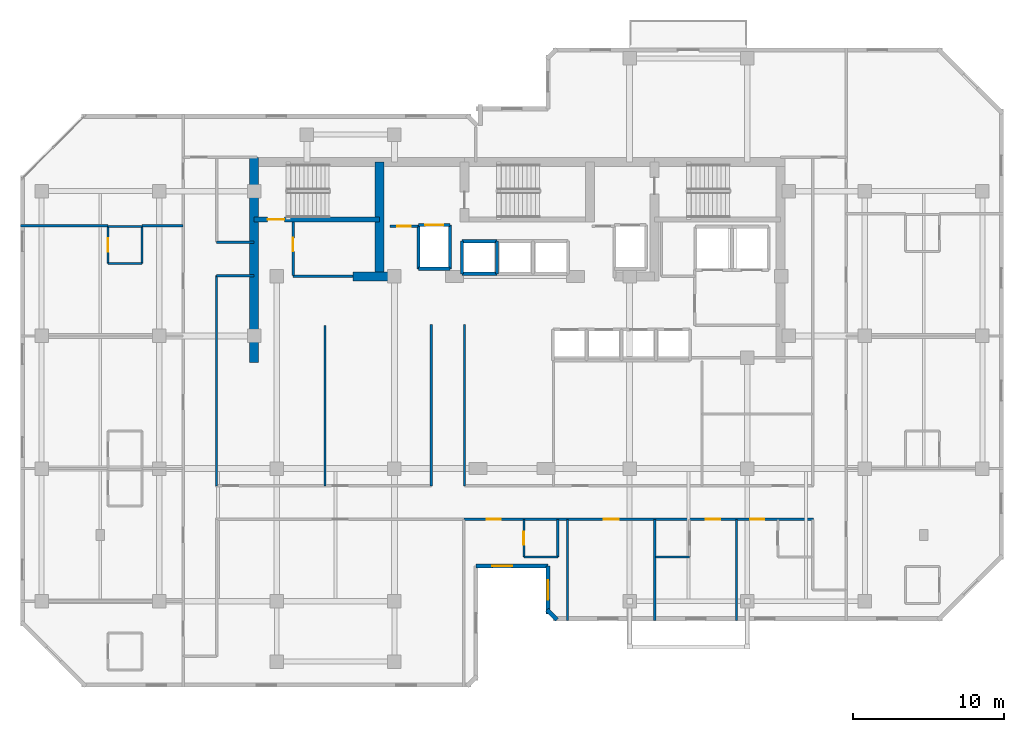
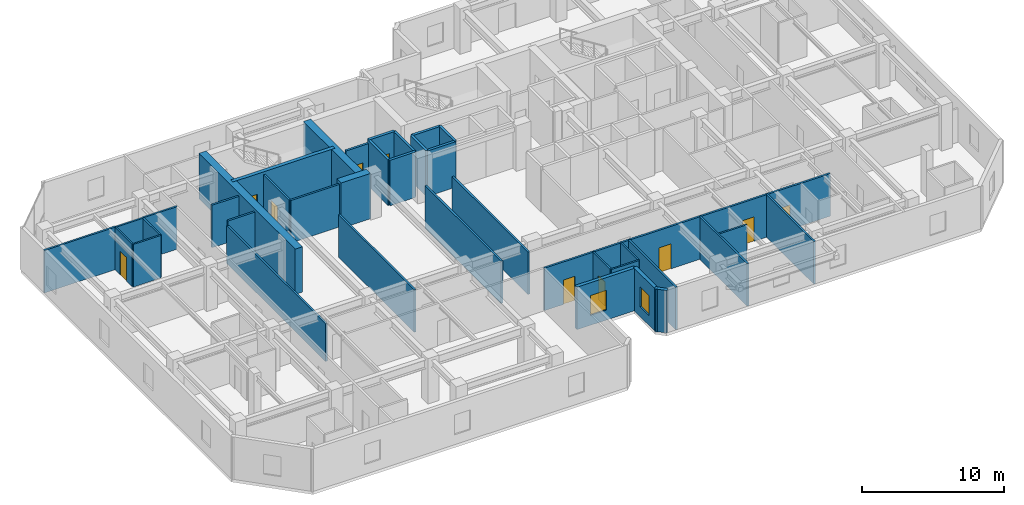
# One storey, part 5 of 10: 38 walls, 10 doors, 2 windows, 12 openings.
"""IFC4 building model written with IfcOpenShell, lengths in metres."""

from ifc_helpers import new_model, si_unit, direction, frame, frame_2d, origin, place, context, subcontext, project, spatial, rectangle, extrude, material, layer, layer_set, type_object, element, fill, save


model = new_model("IFC4")

# Units and contexts
model_context = context("Model", 3, precision=1e-05, world=origin(), true_north=direction((0.0, 1.0)))
body_context = subcontext(model_context, "Body", "Model", "MODEL_VIEW")
ifc_project = project(units=[si_unit("LENGTHUNIT", "METRE"), si_unit("AREAUNIT", "SQUARE_METRE"), si_unit("VOLUMEUNIT", "CUBIC_METRE"), si_unit("PLANEANGLEUNIT", "RADIAN"), si_unit("MASSUNIT", "GRAM", prefix="KILO")], contexts=[model_context])

# Site, building, storey
site_placement = place(None, origin())
site = spatial("IfcSite", under=ifc_project, at=site_placement, CompositionType="ELEMENT")
building_placement = place(site_placement, origin())
building = spatial("IfcBuilding", under=site, at=building_placement, Name="Kestravale Grand Hotel", CompositionType="ELEMENT")
storey_placement = place(building_placement, frame((0.0, 0.0, 224.10009765625)))
storey = spatial("IfcBuildingStorey", under=building, at=storey_placement, Name="L56", CompositionType="ELEMENT", Elevation=224.10009765625)

# Walls
ifc_material_1 = material(Name="Concrete f'c 50 MPa", Category="concrete")
ifc_layer_1 = layer(ifc_material_1, 0.60009765625)
ifc_layer_set_1 = layer_set([ifc_layer_1], Name="EW-CORE-600")
wall_type_1 = type_object("IfcWallType", Name="EW-CORE-600", PredefinedType="SHEAR", material=ifc_layer_set_1)
wall_1_placement = place(storey_placement, frame((21.89990234375, 27.050048828125, 0.0), z_axis=(0.0, 0.0, 1.0), x_axis=(0.0, 1.0, 0.0)))
element("IfcWall", 1, at=wall_1_placement, inside=storey, type_object=wall_type_1, Name="L56 core shear wall W1", PredefinedType="SHEAR", context=body_context, shape_type="SweptSolid", body=[
    extrude(rectangle(XDim=13.570068359375, YDim=0.60009765625, at=frame_2d((6.78515625, 0.0))), origin(), (0.0, 0.0, 1.0), 3.89990234375),
])
wall_2_placement = place(storey_placement, frame((28.449951171875, 32.75, 0.0), z_axis=(0.0, 0.0, 1.0), x_axis=(1.0, 0.0, 0.0)))
element("IfcWall", 2, at=wall_2_placement, inside=storey, type_object=wall_type_1, Name="L56 core shear wall S1", PredefinedType="SHEAR", context=body_context, shape_type="SweptSolid", body=[
    extrude(rectangle(XDim=2.400146484375, YDim=0.60009765625, at=frame_2d((1.2001953125, 0.0))), origin(), (0.0, 0.0, 1.0), 3.89990234375),
])
wall_3_placement = place(storey_placement, frame((30.219970703125, 33.050048828125, 0.0), z_axis=(0.0, 0.0, 1.0), x_axis=(0.0, 1.0, 0.0)))
element("IfcWall", 3, at=wall_3_placement, inside=storey, type_object=wall_type_1, Name="L56 core shear wall X1", PredefinedType="SHEAR", context=body_context, shape_type="SweptSolid", body=[
    extrude(rectangle(XDim=7.27001953125, YDim=0.60009765625, at=frame_2d((3.635009765625, 0.0))), origin(), (0.0, 0.0, 1.0), 3.89990234375),
])

# Wall, opening, window
ifc_material_2 = material(Name="Precast concrete f'c 45 MPa", Category="concrete")
ifc_layer_2 = layer(ifc_material_2, 0.280029296875)
ifc_layer_set_2 = layer_set([ifc_layer_2], Name="EW-PREC-280")
wall_type_2 = type_object("IfcWallType", Name="EW-PREC-280", PredefinedType="SOLIDWALL", material=ifc_layer_set_2)
wall_4_placement = place(storey_placement, frame((36.610107421875, 13.5400390625, 0.0), z_axis=(0.0, 0.0, 1.0), x_axis=(1.0, 0.0, 0.0)))
wall_4 = element("IfcWall", 4, at=wall_4_placement, inside=storey, type_object=wall_type_2, Name="L56 fluted precast facade wall 4", PredefinedType="SOLIDWALL", context=body_context, shape_type="SweptSolid", body=[
    extrude(rectangle(XDim=4.77978515625, YDim=0.280029296875, at=frame_2d((2.389892578125, 0.0))), origin(), (0.0, 0.0, 1.0), 3.64990234375),
])
opening_1_placement = place(wall_4_placement, frame((1.090087890625, 0.0, 0.85009765625)))
opening_1 = element("IfcOpeningElement", 5, at=opening_1_placement, cuts=wall_4, Name="Opening W-GUEST-1300", PredefinedType="OPENING", context=body_context, shape_type="SweptSolid", body=[
    extrude(rectangle(XDim=1.300048828125, YDim=1.699951171875, at=frame_2d((0.64990234375, 0.85009765625))), frame((0.0, 0.14990234375, 0.0), z_axis=(0.0, -1.0, 0.0), x_axis=(1.0, 0.0, 0.0)), (0.0, 0.0, 1.0), 0.300048828125),
])
ifc_material_3 = material(Name="Insulated low-E double glazing in aluminium frame", Category="aluminium")
window_type = type_object("IfcWindowType", Name="W-GUEST-1300", PartitioningType="SINGLE_PANEL", PredefinedType="WINDOW", material=ifc_material_3)
window_1_placement = place(opening_1_placement, origin())
window_1 = element("IfcWindow", 6, at=window_1_placement, inside=storey, type_object=window_type, Name="L56 exterior window 4.1", OverallHeight=1.699951171875, OverallWidth=1.300048828125, PartitioningType="SINGLE_PANEL", PredefinedType="WINDOW", context=body_context, shape_type="SweptSolid", body=[
    extrude(rectangle(XDim=1.300048828125, YDim=1.699951171875, at=frame_2d((0.64990234375, 0.85009765625))), frame((0.0, 0.030029296875, 0.0), z_axis=(0.0, -1.0, 0.0), x_axis=(1.0, 0.0, 0.0)), (0.0, 0.0, 1.0), 0.06005859375),
])
fill(opening_1, window_1)

wall_5_placement = place(storey_placement, frame((41.389892578125, 13.5400390625, 0.0), z_axis=(0.0, 0.0, 1.0), x_axis=(0.0, -1.0, 0.0)))
wall_5 = element("IfcWall", 7, at=wall_5_placement, inside=storey, type_object=wall_type_2, Name="L56 fluted precast facade wall 5", PredefinedType="SOLIDWALL", context=body_context, shape_type="SweptSolid", body=[
    extrude(rectangle(XDim=3.179931640625, YDim=0.280029296875, at=frame_2d((1.58984375, 0.0))), origin(), (0.0, 0.0, 1.0), 3.64990234375),
])
opening_2_placement = place(wall_5_placement, frame((0.93994140625, 0.0, 0.85009765625)))
opening_2 = element("IfcOpeningElement", 8, at=opening_2_placement, cuts=wall_5, Name="Opening W-GUEST-1300", PredefinedType="OPENING", context=body_context, shape_type="SweptSolid", body=[
    extrude(rectangle(XDim=1.300048828125, YDim=1.699951171875, at=frame_2d((0.64990234375, 0.85009765625))), frame((0.0, 0.14990234375, 0.0), z_axis=(0.0, -1.0, 0.0), x_axis=(1.0, 0.0, 0.0)), (0.0, 0.0, 1.0), 0.300048828125),
])
window_2_placement = place(opening_2_placement, origin())
window_2 = element("IfcWindow", 9, at=window_2_placement, inside=storey, type_object=window_type, Name="L56 exterior window 5.1", OverallHeight=1.699951171875, OverallWidth=1.300048828125, PartitioningType="SINGLE_PANEL", PredefinedType="WINDOW", context=body_context, shape_type="SweptSolid", body=[
    extrude(rectangle(XDim=1.300048828125, YDim=1.699951171875, at=frame_2d((0.64990234375, 0.85009765625))), frame((0.0, 0.030029296875, 0.0), z_axis=(0.0, -1.0, 0.0), x_axis=(1.0, 0.0, 0.0)), (0.0, 0.0, 1.0), 0.06005859375),
])
fill(opening_2, window_2)

# Wall
wall_6_placement = place(storey_placement, frame((41.32080078125, 10.627197265625, 0.0), z_axis=(0.0, 0.0, 1.0), x_axis=(0.707106781187, -0.707106781187, 0.0)))
element("IfcWall", 10, at=wall_6_placement, inside=storey, type_object=wall_type_2, Name="L56 fluted precast facade wall 6", PredefinedType="SOLIDWALL", context=body_context, shape_type="SweptSolid", body=[
    extrude(rectangle(XDim=0.928466796875, YDim=0.280029296875, at=frame_2d((0.46435546875, 0.0))), origin(), (0.0, 0.0, 1.0), 3.64990234375),
])

# Wall, opening, door
ifc_material_4 = material(Name="Concrete f'c 45 MPa", Category="concrete")
ifc_layer_3 = layer(ifc_material_4, 0.300048828125)
ifc_layer_set_3 = layer_set([ifc_layer_3], Name="EW-STAIR-300")
wall_type_3 = type_object("IfcWallType", Name="EW-STAIR-300", PredefinedType="SHEAR", material=ifc_layer_set_3)
wall_7_placement = place(storey_placement, frame((21.89990234375, 36.52001953125, 0.0), z_axis=(0.0, 0.0, 1.0), x_axis=(1.0, 0.0, 0.0)))
wall_7 = element("IfcWall", 11, at=wall_7_placement, inside=storey, type_object=wall_type_3, Name="L56 stair enclosure shear wall SST1", PredefinedType="SHEAR", context=body_context, shape_type="SweptSolid", body=[
    extrude(rectangle(XDim=8.320068359375, YDim=0.300048828125, at=frame_2d((4.16015625, 0.0))), origin(), (0.0, 0.0, 1.0), 3.89990234375),
])
opening_3_placement = place(wall_7_placement, frame((0.89990234375, 0.0, 0.0)))
opening_3 = element("IfcOpeningElement", 12, at=opening_3_placement, cuts=wall_7, Name="Opening D-ST-1100", PredefinedType="OPENING", context=body_context, shape_type="SweptSolid", body=[
    extrude(rectangle(XDim=1.10009765625, YDim=2.14990234375, at=frame_2d((0.550048828125, 1.074951171875))), frame((0.0, 0.159912109375, 0.0), z_axis=(0.0, -1.0, 0.0), x_axis=(1.0, 0.0, 0.0)), (0.0, 0.0, 1.0), 0.320068359375),
])
ifc_material_5 = material(Name="Galvanised 90-minute fire-rated steel stair door", Category="steel")
door_type_1 = type_object("IfcDoorType", Name="D-ST-1100", OperationType="NOTDEFINED", PredefinedType="DOOR", material=ifc_material_5)
door_1_placement = place(opening_3_placement, origin())
door_1 = element("IfcDoor", 13, at=door_1_placement, inside=storey, type_object=door_type_1, Name="L56 Stair ST-1 fire door", OperationType="SINGLE_SWING_RIGHT", OverallHeight=2.14990234375, OverallWidth=1.10009765625, PredefinedType="DOOR", context=body_context, shape_type="SweptSolid", body=[
    extrude(rectangle(XDim=1.10009765625, YDim=2.14990234375, at=frame_2d((0.550048828125, 1.074951171875))), frame((0.0, 0.02490234375, 0.0), z_axis=(0.0, -1.0, 0.0), x_axis=(1.0, 0.0, 0.0)), (0.0, 0.0, 1.0), 0.050048828125),
])
fill(opening_3, door_1)

ifc_material_6 = material(Name="Acoustic fire-rated gypsum board partition", Category="other")
ifc_layer_4 = layer(ifc_material_6, 0.159912109375)
ifc_layer_set_4 = layer_set([ifc_layer_4], Name="IW-CORR-160")
wall_type_4 = type_object("IfcWallType", Name="IW-CORR-160", PredefinedType="PARTITIONING", material=ifc_layer_set_4)
wall_8_placement = place(storey_placement, frame((24.47998046875, 32.800048828125, 0.0), z_axis=(0.0, 0.0, 1.0), x_axis=(0.0, 1.0, 0.0)))
wall_8 = element("IfcWall", 14, at=wall_8_placement, inside=storey, type_object=wall_type_4, Name="L56 west core vestibule wall", PredefinedType="PARTITIONING", context=body_context, shape_type="SweptSolid", body=[
    extrude(rectangle(XDim=3.570068359375, YDim=0.159912109375, at=frame_2d((1.78515625, 0.0))), origin(), (0.0, 0.0, 1.0), 3.64990234375),
])
opening_4_placement = place(wall_8_placement, frame((1.603515625, 0.0, 0.0)))
opening_4 = element("IfcOpeningElement", 15, at=opening_4_placement, cuts=wall_8, Name="Opening D-SH-900", PredefinedType="OPENING", context=body_context, shape_type="SweptSolid", body=[
    extrude(rectangle(XDim=0.89990234375, YDim=2.10009765625, at=frame_2d((0.449951171875, 1.050048828125))), frame((0.0, 0.08984375, 0.0), z_axis=(0.0, -1.0, 0.0), x_axis=(1.0, 0.0, 0.0)), (0.0, 0.0, 1.0), 0.179931640625),
])
ifc_material_7 = material(Name="Galvanised 90-minute shaft and service fire door", Category="steel")
door_type_2 = type_object("IfcDoorType", Name="D-SH-900", OperationType="NOTDEFINED", PredefinedType="DOOR", material=ifc_material_7)
door_2_placement = place(opening_4_placement, origin())
door_2 = element("IfcDoor", 16, at=door_2_placement, inside=storey, type_object=door_type_2, Name="D-L56-HK", OperationType="SINGLE_SWING_RIGHT", OverallHeight=2.10009765625, OverallWidth=0.89990234375, PredefinedType="DOOR", context=body_context, shape_type="SweptSolid", body=[
    extrude(rectangle(XDim=0.89990234375, YDim=2.10009765625, at=frame_2d((0.449951171875, 1.050048828125))), frame((0.0, 0.02490234375, 0.0), z_axis=(0.0, -1.0, 0.0), x_axis=(1.0, 0.0, 0.0)), (0.0, 0.0, 1.0), 0.050048828125),
])
fill(opening_4, door_2)

# Walls
wall_9_placement = place(storey_placement, frame((24.47998046875, 32.75, 0.0), z_axis=(0.0, 0.0, 1.0), x_axis=(1.0, 0.0, 0.0)))
element("IfcWall", 17, at=wall_9_placement, inside=storey, type_object=wall_type_4, Name="W-L56-CWS", PredefinedType="PARTITIONING", context=body_context, shape_type="SweptSolid", body=[
    extrude(rectangle(XDim=3.969970703125, YDim=0.159912109375, at=frame_2d((1.98486328125, 0.0))), origin(), (0.0, 0.0, 1.0), 3.64990234375),
])
for number, where, z_axis, x_axis, name in (
    (18, (33.64990234375, 18.860107421875, 0.0), (0.0, 0.0, 1.0), (0.0, 1.0, 0.0), "W-L56-TRUNK-W"),
    (19, (35.85009765625, 18.860107421875, 0.0), (0.0, 0.0, 1.0), (0.0, 1.0, 0.0), "W-L56-TRUNK-E"),
):
    element("IfcWall", number, at=place(storey_placement, frame(where, z_axis=z_axis, x_axis=x_axis)), inside=storey, type_object=wall_type_4, Name=name, PredefinedType="PARTITIONING", context=body_context, shape_type="SweptSolid", body=[
        extrude(rectangle(XDim=10.68994140625, YDim=0.159912109375, at=frame_2d((5.344970703125, 0.0))), origin(), (0.0, 0.0, 1.0), 3.64990234375),
    ])

# Wall, openings, doors
wall_10_placement = place(storey_placement, frame((35.800048828125, 16.639892578125, 0.0), z_axis=(0.0, 0.0, 1.0), x_axis=(1.0, 0.0, 0.0)))
wall_10 = element("IfcWall", 20, at=wall_10_placement, inside=storey, type_object=wall_type_4, Name="W-L56-CE-S", PredefinedType="PARTITIONING", context=body_context, shape_type="SweptSolid", body=[
    extrude(rectangle(XDim=23.199951171875, YDim=0.159912109375, at=frame_2d((11.60009765625, 0.0))), origin(), (0.0, 0.0, 1.0), 3.64990234375),
])
opening_5_placement = place(wall_10_placement, frame((1.517578125, 0.0, 0.0)))
opening_5 = element("IfcOpeningElement", 21, at=opening_5_placement, cuts=wall_10, Name="Opening D-GUEST-950", PredefinedType="OPENING", context=body_context, shape_type="SweptSolid", body=[
    extrude(rectangle(XDim=0.949951171875, YDim=2.10009765625, at=frame_2d((0.47509765625, 1.050048828125))), frame((0.0, 0.08984375, 0.0), z_axis=(0.0, -1.0, 0.0), x_axis=(1.0, 0.0, 0.0)), (0.0, 0.0, 1.0), 0.179931640625),
])
opening_6_placement = place(wall_10_placement, frame((9.277587890625, 0.0, 0.0)))
opening_6 = element("IfcOpeningElement", 22, at=opening_6_placement, cuts=wall_10, Name="Opening D-GUEST-1000", PredefinedType="OPENING", context=body_context, shape_type="SweptSolid", body=[
    extrude(rectangle(XDim=1.0, YDim=2.14990234375, at=frame_2d((0.5, 1.074951171875))), frame((0.0, 0.08984375, 0.0), z_axis=(0.0, -1.0, 0.0), x_axis=(1.0, 0.0, 0.0)), (0.0, 0.0, 1.0), 0.179931640625),
])
opening_7_placement = place(wall_10_placement, frame((16.06005859375, 0.0, 0.0)))
opening_7 = element("IfcOpeningElement", 23, at=opening_7_placement, cuts=wall_10, Name="Opening D-GUEST-950", PredefinedType="OPENING", context=body_context, shape_type="SweptSolid", body=[
    extrude(rectangle(XDim=0.949951171875, YDim=2.10009765625, at=frame_2d((0.47509765625, 1.050048828125))), frame((0.0, 0.08984375, 0.0), z_axis=(0.0, -1.0, 0.0), x_axis=(1.0, 0.0, 0.0)), (0.0, 0.0, 1.0), 0.179931640625),
])
opening_8_placement = place(wall_10_placement, frame((18.985107421875, 0.0, 0.0)))
opening_8 = element("IfcOpeningElement", 24, at=opening_8_placement, cuts=wall_10, Name="Opening D-GUEST-950", PredefinedType="OPENING", context=body_context, shape_type="SweptSolid", body=[
    extrude(rectangle(XDim=0.949951171875, YDim=2.10009765625, at=frame_2d((0.47509765625, 1.050048828125))), frame((0.0, 0.08984375, 0.0), z_axis=(0.0, -1.0, 0.0), x_axis=(1.0, 0.0, 0.0)), (0.0, 0.0, 1.0), 0.179931640625),
])
ifc_material_8 = material(Name="Accessible walnut veneer hotel entrance fire door", Category="wood")
door_type_3 = type_object("IfcDoorType", Name="D-GUEST-1000", OperationType="NOTDEFINED", PredefinedType="DOOR", material=ifc_material_8)
door_3_placement = place(opening_6_placement, origin())
door_3 = element("IfcDoor", 25, at=door_3_placement, inside=storey, type_object=door_type_3, Name="D-L56-AME", OperationType="SINGLE_SWING_LEFT", OverallHeight=2.14990234375, OverallWidth=1.0, PredefinedType="DOOR", context=body_context, shape_type="SweptSolid", body=[
    extrude(rectangle(XDim=1.0, YDim=2.14990234375, at=frame_2d((0.5, 1.074951171875))), frame((0.0, 0.02490234375, 0.0), z_axis=(0.0, -1.0, 0.0), x_axis=(1.0, 0.0, 0.0)), (0.0, 0.0, 1.0), 0.050048828125),
])
fill(opening_6, door_3)
ifc_material_9 = material(Name="Walnut veneer hotel guestroom entrance fire door", Category="wood")
door_type_4 = type_object("IfcDoorType", Name="D-GUEST-950", OperationType="NOTDEFINED", PredefinedType="DOOR", material=ifc_material_9)
door_4_placement = place(opening_5_placement, origin())
door_4 = element("IfcDoor", 26, at=door_4_placement, inside=storey, type_object=door_type_4, Name="D-L56-U01-ENT", OperationType="SINGLE_SWING_RIGHT", OverallHeight=2.10009765625, OverallWidth=0.949951171875, PredefinedType="DOOR", context=body_context, shape_type="SweptSolid", body=[
    extrude(rectangle(XDim=0.949951171875, YDim=2.10009765625, at=frame_2d((0.47509765625, 1.050048828125))), frame((0.0, 0.02490234375, 0.0), z_axis=(0.0, -1.0, 0.0), x_axis=(1.0, 0.0, 0.0)), (0.0, 0.0, 1.0), 0.050048828125),
])
fill(opening_5, door_4)
door_5_placement = place(opening_7_placement, origin())
door_5 = element("IfcDoor", 27, at=door_5_placement, inside=storey, type_object=door_type_4, Name="D-L56-U02-ENT", OperationType="SINGLE_SWING_LEFT", OverallHeight=2.10009765625, OverallWidth=0.949951171875, PredefinedType="DOOR", context=body_context, shape_type="SweptSolid", body=[
    extrude(rectangle(XDim=0.949951171875, YDim=2.10009765625, at=frame_2d((0.47509765625, 1.050048828125))), frame((0.0, 0.02490234375, 0.0), z_axis=(0.0, -1.0, 0.0), x_axis=(1.0, 0.0, 0.0)), (0.0, 0.0, 1.0), 0.050048828125),
])
fill(opening_7, door_5)
door_6_placement = place(opening_8_placement, origin())
door_6 = element("IfcDoor", 28, at=door_6_placement, inside=storey, type_object=door_type_4, Name="D-L56-U03-ENT", OperationType="SINGLE_SWING_LEFT", OverallHeight=2.10009765625, OverallWidth=0.949951171875, PredefinedType="DOOR", context=body_context, shape_type="SweptSolid", body=[
    extrude(rectangle(XDim=0.949951171875, YDim=2.10009765625, at=frame_2d((0.47509765625, 1.050048828125))), frame((0.0, 0.02490234375, 0.0), z_axis=(0.0, -1.0, 0.0), x_axis=(1.0, 0.0, 0.0)), (0.0, 0.0, 1.0), 0.050048828125),
])
fill(opening_8, door_6)

# Walls
for number, where, z_axis, x_axis, name in (
    (29, (19.409912109375, 35.02001953125, 0.0), (0.0, 0.0, 1.0), (1.0, 0.0, 0.0), "W-L56-SW-CN"),
    (30, (19.409912109375, 32.780029296875, 0.0), (0.0, 0.0, 1.0), (1.0, 0.0, 0.0), "W-L56-SW-CS"),
):
    element("IfcWall", number, at=place(storey_placement, frame(where, z_axis=z_axis, x_axis=x_axis)), inside=storey, type_object=wall_type_4, Name=name, PredefinedType="PARTITIONING", context=body_context, shape_type="SweptSolid", body=[
        extrude(rectangle(XDim=2.489990234375, YDim=0.159912109375, at=frame_2d((1.2451171875, 0.0))), origin(), (0.0, 0.0, 1.0), 3.64990234375),
    ])

# Wall, opening, door
ifc_material_10 = material(Name="Fire-rated gypsum board on steel studs with mineral wool", Category="steel")
ifc_layer_5 = layer(ifc_material_10, 0.179931640625)
ifc_layer_set_5 = layer_set([ifc_layer_5], Name="IW-FSAE-180")
wall_type_5 = type_object("IfcWallType", Name="IW-FSAE-180", PredefinedType="PARTITIONING", material=ifc_layer_set_5)
wall_11_placement = place(storey_placement, frame((30.89990234375, 36.080078125, 0.0), z_axis=(0.0, 0.0, 1.0), x_axis=(1.0, 0.0, 0.0)))
wall_11 = element("IfcWall", 31, at=wall_11_placement, inside=storey, type_object=wall_type_5, Name="L56 FSAE Lobby 1 smoke barrier", PredefinedType="PARTITIONING", context=body_context, shape_type="SweptSolid", body=[
    extrude(rectangle(XDim=1.85009765625, YDim=0.179931640625, at=frame_2d((0.925048828125, 0.0))), origin(), (0.0, 0.0, 1.0), 3.64990234375),
])
opening_9_placement = place(wall_11_placement, frame((0.47998046875, 0.0, 0.0)))
opening_9 = element("IfcOpeningElement", 32, at=opening_9_placement, cuts=wall_11, Name="Opening D-FSAE-1000", PredefinedType="OPENING", context=body_context, shape_type="SweptSolid", body=[
    extrude(rectangle(XDim=0.89990234375, YDim=2.14990234375, at=frame_2d((0.449951171875, 1.074951171875))), frame((0.0, 0.099853515625, 0.0), z_axis=(0.0, -1.0, 0.0), x_axis=(1.0, 0.0, 0.0)), (0.0, 0.0, 1.0), 0.199951171875),
])
ifc_material_11 = material(Name="Smoke-gasketed FSAE lobby fire door", Category="steel")
door_type_5 = type_object("IfcDoorType", Name="D-FSAE-1000", OperationType="NOTDEFINED", PredefinedType="DOOR", material=ifc_material_11)
door_7_placement = place(opening_9_placement, origin())
door_7 = element("IfcDoor", 33, at=door_7_placement, inside=storey, type_object=door_type_5, Name="L56 FSAE Lobby 1 fire door", OperationType="SINGLE_SWING_RIGHT", OverallHeight=2.14990234375, OverallWidth=0.89990234375, PredefinedType="DOOR", context=body_context, shape_type="SweptSolid", body=[
    extrude(rectangle(XDim=0.89990234375, YDim=2.14990234375, at=frame_2d((0.449951171875, 1.074951171875))), frame((0.0, 0.02490234375, 0.0), z_axis=(0.0, -1.0, 0.0), x_axis=(1.0, 0.0, 0.0)), (0.0, 0.0, 1.0), 0.050048828125),
])
fill(opening_9, door_7)

ifc_material_12 = material(Name="Moisture-resistant tile-backer plumbing chase wall", Category="other")
ifc_layer_6 = layer(ifc_material_12, 0.139892578125)
ifc_layer_set_6 = layer_set([ifc_layer_6], Name="IW-PLB-140")
wall_type_6 = type_object("IfcWallType", Name="IW-PLB-140", PredefinedType="PLUMBINGWALL", material=ifc_layer_set_6)
wall_12_placement = place(storey_placement, frame((39.784912109375, 14.1298828125, 0.0), z_axis=(0.0, 0.0, 1.0), x_axis=(0.0, 1.0, 0.0)))
wall_12 = element("IfcWall", 34, at=wall_12_placement, inside=storey, type_object=wall_type_6, Name="W-L56-U01-BW", PredefinedType="PLUMBINGWALL", context=body_context, shape_type="SweptSolid", body=[
    extrude(rectangle(XDim=2.490234375, YDim=0.139892578125, at=frame_2d((1.2451171875, 0.0))), origin(), (0.0, 0.0, 1.0), 3.64990234375),
])
opening_10_placement = place(wall_12_placement, frame((0.804931640625, 0.0, 0.0)))
opening_10 = element("IfcOpeningElement", 35, at=opening_10_placement, cuts=wall_12, Name="Opening D-BATH-880", PredefinedType="OPENING", context=body_context, shape_type="SweptSolid", body=[
    extrude(rectangle(XDim=0.8798828125, YDim=2.050048828125, at=frame_2d((0.43994140625, 1.02490234375))), frame((0.0, 0.079833984375, 0.0), z_axis=(0.0, -1.0, 0.0), x_axis=(1.0, 0.0, 0.0)), (0.0, 0.0, 1.0), 0.159912109375),
])
ifc_material_13 = material(Name="Moisture-sealed walnut en-suite bathroom door", Category="wood")
door_type_6 = type_object("IfcDoorType", Name="D-BATH-880", OperationType="NOTDEFINED", PredefinedType="DOOR", material=ifc_material_13)
door_8_placement = place(opening_10_placement, origin())
door_8 = element("IfcDoor", 36, at=door_8_placement, inside=storey, type_object=door_type_6, Name="D-L56-U01-BATH", OperationType="SINGLE_SWING_LEFT", OverallHeight=2.050048828125, OverallWidth=0.8798828125, PredefinedType="DOOR", context=body_context, shape_type="SweptSolid", body=[
    extrude(rectangle(XDim=0.8798828125, YDim=2.050048828125, at=frame_2d((0.43994140625, 1.02490234375))), frame((0.0, 0.02490234375, 0.0), z_axis=(0.0, -1.0, 0.0), x_axis=(1.0, 0.0, 0.0)), (0.0, 0.0, 1.0), 0.050048828125),
])
fill(opening_10, door_8)

# Walls
wall_13_placement = place(storey_placement, frame((42.034912109375, 14.1298828125, 0.0), z_axis=(0.0, 0.0, 1.0), x_axis=(0.0, 1.0, 0.0)))
element("IfcWall", 37, at=wall_13_placement, inside=storey, type_object=wall_type_6, Name="W-L56-U01-BE", PredefinedType="PLUMBINGWALL", context=body_context, shape_type="SweptSolid", body=[
    extrude(rectangle(XDim=2.490234375, YDim=0.139892578125, at=frame_2d((1.2451171875, 0.0))), origin(), (0.0, 0.0, 1.0), 3.64990234375),
])
for number, where, z_axis, x_axis, name in (
    (38, (39.784912109375, 14.1298828125, 0.0), (0.0, 0.0, 1.0), (1.0, 0.0, 0.0), "W-L56-U01-BS"),
    (39, (48.530029296875, 14.1298828125, 0.0), (0.0, 0.0, 1.0), (1.0, 0.0, 0.0), "W-L56-U02-BS"),
):
    element("IfcWall", number, at=place(storey_placement, frame(where, z_axis=z_axis, x_axis=x_axis)), inside=storey, type_object=wall_type_6, Name=name, PredefinedType="PLUMBINGWALL", context=body_context, shape_type="SweptSolid", body=[
        extrude(rectangle(XDim=2.25, YDim=0.139892578125, at=frame_2d((1.125, 0.0))), origin(), (0.0, 0.0, 1.0), 3.64990234375),
    ])

# Wall, opening, door
wall_14_placement = place(storey_placement, frame((12.199951171875, 33.610107421875, 0.0), z_axis=(0.0, 0.0, 1.0), x_axis=(0.0, 1.0, 0.0)))
wall_14 = element("IfcWall", 40, at=wall_14_placement, inside=storey, type_object=wall_type_6, Name="W-L56-U07-BW", PredefinedType="PLUMBINGWALL", context=body_context, shape_type="SweptSolid", body=[
    extrude(rectangle(XDim=2.449951171875, YDim=0.139892578125, at=frame_2d((1.22509765625, 0.0))), origin(), (0.0, 0.0, 1.0), 3.64990234375),
])
opening_11_placement = place(wall_14_placement, frame((0.784912109375, 0.0, 0.0)))
opening_11 = element("IfcOpeningElement", 41, at=opening_11_placement, cuts=wall_14, Name="Opening D-BATH-880", PredefinedType="OPENING", context=body_context, shape_type="SweptSolid", body=[
    extrude(rectangle(XDim=0.8798828125, YDim=2.050048828125, at=frame_2d((0.43994140625, 1.02490234375))), frame((0.0, 0.079833984375, 0.0), z_axis=(0.0, -1.0, 0.0), x_axis=(1.0, 0.0, 0.0)), (0.0, 0.0, 1.0), 0.159912109375),
])
door_9_placement = place(opening_11_placement, origin())
door_9 = element("IfcDoor", 42, at=door_9_placement, inside=storey, type_object=door_type_6, Name="D-L56-U07-BATH", OperationType="SINGLE_SWING_RIGHT", OverallHeight=2.050048828125, OverallWidth=0.8798828125, PredefinedType="DOOR", context=body_context, shape_type="SweptSolid", body=[
    extrude(rectangle(XDim=0.8798828125, YDim=2.050048828125, at=frame_2d((0.43994140625, 1.02490234375))), frame((0.0, 0.02490234375, 0.0), z_axis=(0.0, -1.0, 0.0), x_axis=(1.0, 0.0, 0.0)), (0.0, 0.0, 1.0), 0.050048828125),
])
fill(opening_11, door_9)

# Walls
wall_15_placement = place(storey_placement, frame((14.449951171875, 33.610107421875, 0.0), z_axis=(0.0, 0.0, 1.0), x_axis=(0.0, 1.0, 0.0)))
element("IfcWall", 43, at=wall_15_placement, inside=storey, type_object=wall_type_6, Name="W-L56-U07-BE", PredefinedType="PLUMBINGWALL", context=body_context, shape_type="SweptSolid", body=[
    extrude(rectangle(XDim=2.449951171875, YDim=0.139892578125, at=frame_2d((1.22509765625, 0.0))), origin(), (0.0, 0.0, 1.0), 3.64990234375),
])
for number, where, z_axis, x_axis, name in (
    (44, (12.199951171875, 33.610107421875, 0.0), (0.0, 0.0, 1.0), (1.0, 0.0, 0.0), "W-L56-U07-BS"),
    (45, (12.199951171875, 36.06005859375, 0.0), (0.0, 0.0, 1.0), (1.0, 0.0, 0.0), "W-L56-U07-BN"),
):
    element("IfcWall", number, at=place(storey_placement, frame(where, z_axis=z_axis, x_axis=x_axis)), inside=storey, type_object=wall_type_6, Name=name, PredefinedType="PLUMBINGWALL", context=body_context, shape_type="SweptSolid", body=[
        extrude(rectangle(XDim=2.25, YDim=0.139892578125, at=frame_2d((1.125, 0.0))), origin(), (0.0, 0.0, 1.0), 3.64990234375),
    ])
ifc_material_14 = material(Name="Concrete f'c 45 MPa", Category="concrete")
ifc_layer_7 = layer(ifc_material_14, 0.199951171875)
ifc_layer_set_7 = layer_set([ifc_layer_7], Name="IW-SHAFT-200")
wall_type_7 = type_object("IfcWallType", Name="IW-SHAFT-200", PredefinedType="SHEAR", material=ifc_layer_set_7)
for number, where, z_axis, x_axis, name in (
    (46, (35.679931640625, 32.919921875, 0.0), (0.0, 0.0, 1.0), (0.0, 1.0, 0.0), "L56 PL-X1 west shaft wall"),
    (47, (38.0, 32.919921875, 0.0), (0.0, 0.0, 1.0), (0.0, 1.0, 0.0), "L56 PL-X2 west shaft wall"),
):
    element("IfcWall", number, at=place(storey_placement, frame(where, z_axis=z_axis, x_axis=x_axis)), inside=storey, type_object=wall_type_7, Name=name, PredefinedType="SHEAR", context=body_context, shape_type="SweptSolid", body=[
        extrude(rectangle(XDim=2.16015625, YDim=0.199951171875, at=frame_2d((1.080078125, 0.0))), origin(), (0.0, 0.0, 1.0), 3.89990234375),
    ])
for number, where, z_axis, x_axis, name in (
    (48, (32.804931640625, 33.2451171875, 0.0), (0.0, 0.0, 1.0), (0.0, 1.0, 0.0), "L56 FL-1 west shaft wall"),
    (49, (34.89501953125, 33.2451171875, 0.0), (0.0, 0.0, 1.0), (0.0, 1.0, 0.0), "L56 FL-1 east shaft wall"),
):
    element("IfcWall", number, at=place(storey_placement, frame(where, z_axis=z_axis, x_axis=x_axis)), inside=storey, type_object=wall_type_7, Name=name, PredefinedType="SHEAR", context=body_context, shape_type="SweptSolid", body=[
        extrude(rectangle(XDim=2.909912109375, YDim=0.199951171875, at=frame_2d((1.455078125, 0.0))), origin(), (0.0, 0.0, 1.0), 3.89990234375),
    ])
ifc_material_15 = material(Name="Concrete f'c 45 MPa", Category="concrete")
ifc_layer_8 = layer(ifc_material_15, 0.219970703125)
ifc_layer_set_8 = layer_set([ifc_layer_8], Name="IW-SHAFT-220")
wall_type_8 = type_object("IfcWallType", Name="IW-SHAFT-220", PredefinedType="SHEAR", material=ifc_layer_set_8)
for number, where, z_axis, x_axis, name in (
    (50, (35.679931640625, 35.080078125, 0.0), (0.0, 0.0, 1.0), (1.0, 0.0, 0.0), "L56 PL-X1 north shaft wall"),
    (51, (35.679931640625, 32.919921875, 0.0), (0.0, 0.0, 1.0), (1.0, 0.0, 0.0), "L56 PL-X1 south shaft wall"),
):
    element("IfcWall", number, at=place(storey_placement, frame(where, z_axis=z_axis, x_axis=x_axis)), inside=storey, type_object=wall_type_8, Name=name, PredefinedType="SHEAR", context=body_context, shape_type="SweptSolid", body=[
        extrude(rectangle(XDim=2.320068359375, YDim=0.219970703125, at=frame_2d((1.16015625, 0.0))), origin(), (0.0, 0.0, 1.0), 3.89990234375),
    ])

# Wall, opening, door
wall_16_placement = place(storey_placement, frame((32.804931640625, 36.155029296875, 0.0), z_axis=(0.0, 0.0, 1.0), x_axis=(1.0, 0.0, 0.0)))
wall_16 = element("IfcWall", 52, at=wall_16_placement, inside=storey, type_object=wall_type_8, Name="L56 FL-1 north shaft wall", PredefinedType="SHEAR", context=body_context, shape_type="SweptSolid", body=[
    extrude(rectangle(XDim=2.090087890625, YDim=0.219970703125, at=frame_2d((1.044921875, 0.0))), origin(), (0.0, 0.0, 1.0), 3.89990234375),
])
opening_12_placement = place(wall_16_placement, frame((0.445068359375, 0.0, 0.0)))
opening_12 = element("IfcOpeningElement", 53, at=opening_12_placement, cuts=wall_16, Name="Opening LD-FSAE-1200", PredefinedType="OPENING", context=body_context, shape_type="SweptSolid", body=[
    extrude(rectangle(XDim=1.199951171875, YDim=2.14990234375, at=frame_2d((0.60009765625, 1.074951171875))), frame((0.0, 0.119873046875, 0.0), z_axis=(0.0, -1.0, 0.0), x_axis=(1.0, 0.0, 0.0)), (0.0, 0.0, 1.0), 0.239990234375),
])
ifc_material_16 = material(Name="Stainless fire-service sliding elevator landing door", Category="steel")
door_type_7 = type_object("IfcDoorType", Name="LD-FSAE-1200", OperationType="NOTDEFINED", PredefinedType="DOOR", material=ifc_material_16)
door_10_placement = place(opening_12_placement, origin())
door_10 = element("IfcDoor", 54, at=door_10_placement, inside=storey, type_object=door_type_7, Name="L56 FL-1 elevator landing sliding door", OperationType="DOUBLE_DOOR_SLIDING", OverallHeight=2.14990234375, OverallWidth=1.199951171875, PredefinedType="DOOR", context=body_context, shape_type="SweptSolid", body=[
    extrude(rectangle(XDim=1.199951171875, YDim=2.14990234375, at=frame_2d((0.60009765625, 1.074951171875))), frame((0.0, 0.02490234375, 0.0), z_axis=(0.0, -1.0, 0.0), x_axis=(1.0, 0.0, 0.0)), (0.0, 0.0, 1.0), 0.050048828125),
])
fill(opening_12, door_10)

# Walls
wall_17_placement = place(storey_placement, frame((32.804931640625, 33.2451171875, 0.0), z_axis=(0.0, 0.0, 1.0), x_axis=(1.0, 0.0, 0.0)))
element("IfcWall", 55, at=wall_17_placement, inside=storey, type_object=wall_type_8, Name="L56 FL-1 south shaft wall", PredefinedType="SHEAR", context=body_context, shape_type="SweptSolid", body=[
    extrude(rectangle(XDim=2.090087890625, YDim=0.219970703125, at=frame_2d((1.044921875, 0.0))), origin(), (0.0, 0.0, 1.0), 3.89990234375),
])
ifc_material_17 = material(Name="Double-stud STC 52 acoustic demising partition", Category="other")
ifc_layer_9 = layer(ifc_material_17, 0.14990234375)
ifc_layer_set_9 = layer_set([ifc_layer_9], Name="IW-UNIT-150")
wall_type_9 = type_object("IfcWallType", Name="IW-UNIT-150", PredefinedType="PARTITIONING", material=ifc_layer_set_9)
wall_18_placement = place(storey_placement, frame((19.409912109375, 18.860107421875, 0.0), z_axis=(0.0, 0.0, 1.0), x_axis=(0.0, 1.0, 0.0)))
element("IfcWall", 56, at=wall_18_placement, inside=storey, type_object=wall_type_9, Name="W-L56-RCLW-W", PredefinedType="PARTITIONING", context=body_context, shape_type="SweptSolid", body=[
    extrude(rectangle(XDim=13.93994140625, YDim=0.14990234375, at=frame_2d((6.969970703125, 0.0))), origin(), (0.0, 0.0, 1.0), 3.245849609375),
])
wall_19_placement = place(storey_placement, frame((26.60009765625, 18.860107421875, 0.0), z_axis=(0.0, 0.0, 1.0), x_axis=(0.0, 1.0, 0.0)))
element("IfcWall", 57, at=wall_19_placement, inside=storey, type_object=wall_type_9, Name="W-L56-RCLW-M", PredefinedType="PARTITIONING", context=body_context, shape_type="SweptSolid", body=[
    extrude(rectangle(XDim=10.639892578125, YDim=0.14990234375, at=frame_2d((5.31982421875, 0.0))), origin(), (0.0, 0.0, 1.0), 3.64990234375),
])
for number, where, z_axis, x_axis, name in (
    (58, (42.68505859375, 9.919921875, 0.0), (0.0, 0.0, 1.0), (0.0, 1.0, 0.0), "W-L56-ES-1"),
    (59, (48.469970703125, 9.919921875, 0.0), (0.0, 0.0, 1.0), (0.0, 1.0, 0.0), "W-L56-ES-2"),
    (60, (53.889892578125, 9.919921875, 0.0), (0.0, 0.0, 1.0), (0.0, 1.0, 0.0), "W-L56-ES-3"),
):
    element("IfcWall", number, at=place(storey_placement, frame(where, z_axis=z_axis, x_axis=x_axis)), inside=storey, type_object=wall_type_9, Name=name, PredefinedType="PARTITIONING", context=body_context, shape_type="SweptSolid", body=[
        extrude(rectangle(XDim=6.719970703125, YDim=0.14990234375, at=frame_2d((3.35986328125, 0.0))), origin(), (0.0, 0.0, 1.0), 3.64990234375),
    ])
wall_20_placement = place(storey_placement, frame((6.419921875, 36.10009765625, 0.0), z_axis=(0.0, 0.0, 1.0), x_axis=(1.0, 0.0, 0.0)))
element("IfcWall", 61, at=wall_20_placement, inside=storey, type_object=wall_type_9, Name="W-L56-WW-4", PredefinedType="PARTITIONING", context=body_context, shape_type="SweptSolid", body=[
    extrude(rectangle(XDim=5.780029296875, YDim=0.14990234375, at=frame_2d((2.89013671875, 0.0))), origin(), (0.0, 0.0, 1.0), 3.64990234375),
])
wall_21_placement = place(storey_placement, frame((14.449951171875, 36.10009765625, 0.0), z_axis=(0.0, 0.0, 1.0), x_axis=(1.0, 0.0, 0.0)))
element("IfcWall", 62, at=wall_21_placement, inside=storey, type_object=wall_type_9, Name="W-L56-WW-4", PredefinedType="PARTITIONING", context=body_context, shape_type="SweptSolid", body=[
    extrude(rectangle(XDim=2.739990234375, YDim=0.14990234375, at=frame_2d((1.3701171875, 0.0))), origin(), (0.0, 0.0, 1.0), 3.64990234375),
])

save(model, "model.ifc")
